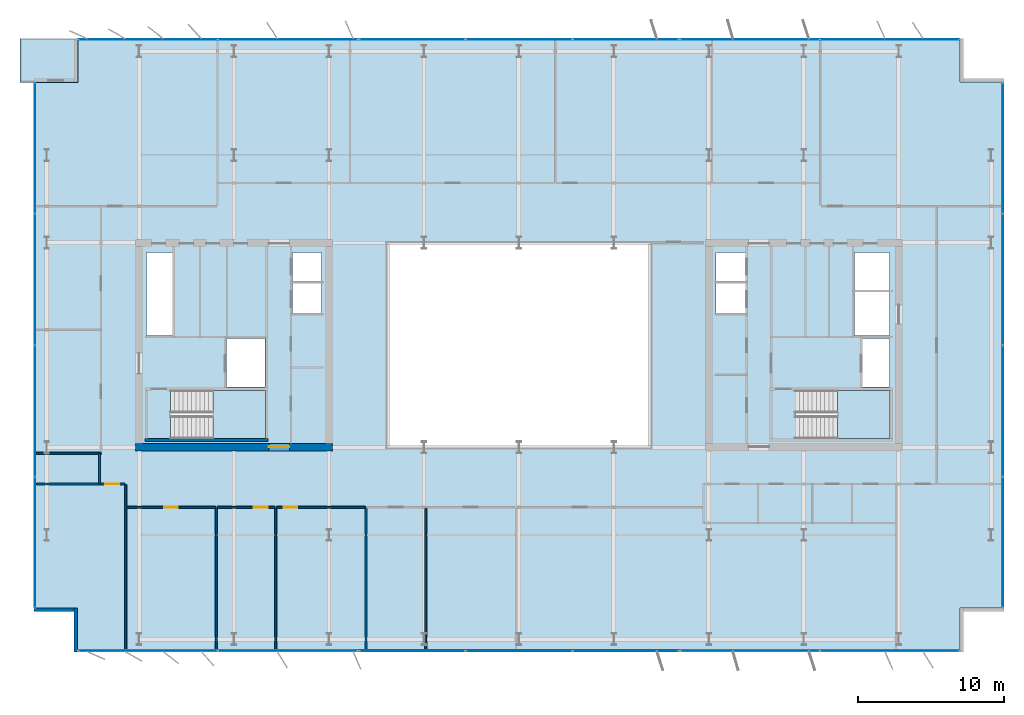
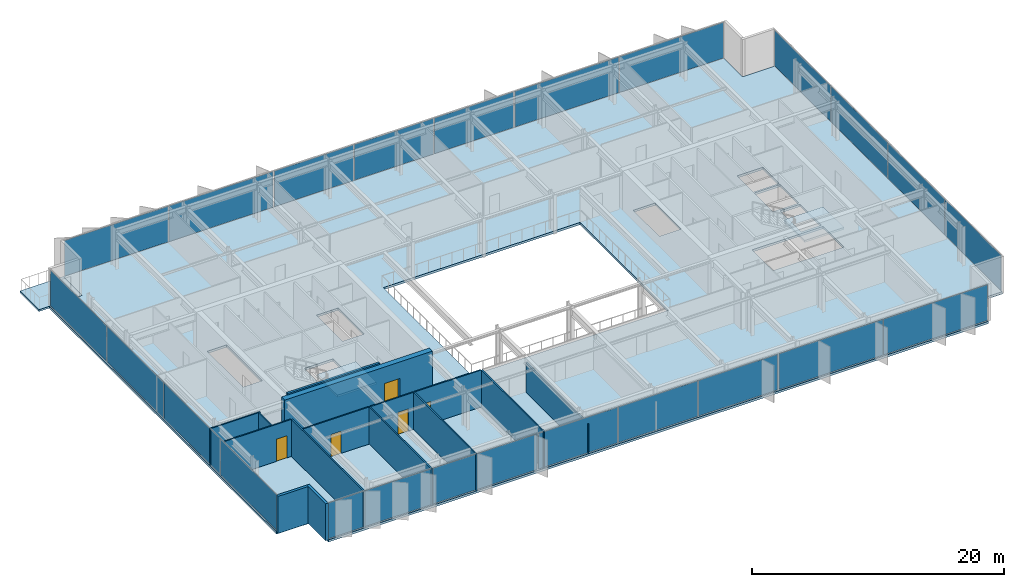
# One storey, part 16 of 23: 22 plates, 15 walls, 5 doors, 4 slabs, 5 openings, 10 elements without a shape of their own.
"""IFC4 building model written with IfcOpenShell, lengths in metres."""

from ifc_helpers import new_model, si_unit, direction, frame, frame_2d, origin, origin_2d, place, context, subcontext, project, spatial, polyline, rectangle, outline, extrude, material, layer, layer_set, type_object, element, fill, aggregate, save


model = new_model("IFC4")

# Units and contexts
model_context = context("Model", 3, precision=1e-05, world=origin(), true_north=direction((0.0, 1.0)))
body_context = subcontext(model_context, "Body", "Model", "MODEL_VIEW")
ifc_project = project(units=[si_unit("LENGTHUNIT", "METRE"), si_unit("AREAUNIT", "SQUARE_METRE"), si_unit("VOLUMEUNIT", "CUBIC_METRE"), si_unit("PLANEANGLEUNIT", "RADIAN"), si_unit("MASSUNIT", "GRAM", prefix="KILO")], contexts=[model_context])

# Site, building, storey
site_placement = place(None, origin())
site = spatial("IfcSite", under=ifc_project, at=site_placement, CompositionType="ELEMENT")
building_placement = place(site_placement, origin())
building = spatial("IfcBuilding", under=site, at=building_placement, Name="Putna Gate Headquarters", CompositionType="ELEMENT")
storey_placement = place(building_placement, frame((0.0, 0.0, 217.60009765625)))
storey = spatial("IfcBuildingStorey", under=building, at=storey_placement, Name="L54", CompositionType="ELEMENT", Elevation=217.60009765625)

# Stair, slab
ifc_material_1 = material(Name="Concrete C40/50", Category="concrete")
stair_type_1 = type_object("IfcStairType", Name="STAIR-ST1", PredefinedType="HALF_TURN_STAIR", material=ifc_material_1)
stair_1_placement = place(storey_placement, origin())
stair_1 = element("IfcStair", 1, at=stair_1_placement, inside=storey, type_object=stair_type_1, Name="L54 West Core Exit Stair ST1", PredefinedType="HALF_TURN_STAIR")
ifc_layer_1 = layer(ifc_material_1, 0.199951171875)
ifc_layer_set_1 = layer_set([ifc_layer_1], Name="Concrete C40/50")
slab_type_1 = type_object("IfcSlabType", Name="LANDING-ST1", PredefinedType="LANDING", material=ifc_layer_set_1)
slab_1_placement = place(storey_placement, frame((0.0, 0.0, 1.699951171875)))
slab_1 = element("IfcSlab", 2, at=slab_1_placement, type_object=slab_type_1, Name="ST1 landing 1", PredefinedType="LANDING", context=body_context, shape_type="SweptSolid", body=[
    extrude(outline(polyline([(18.050048828125, 19.60009765625), (21.64990234375, 19.60009765625), (21.64990234375, 22.89990234375), (18.050048828125, 22.89990234375), (18.050048828125, 19.60009765625)])), origin(), (0.0, 0.0, 1.0), 0.199951171875),
])
aggregate(stair_1, [slab_1])

stair_type_2 = type_object("IfcStairType", Name="STAIR-ST2", PredefinedType="HALF_TURN_STAIR", material=ifc_material_1)
stair_2_placement = place(storey_placement, origin())
stair_2 = element("IfcStair", 3, at=stair_2_placement, inside=storey, type_object=stair_type_2, Name="L54 East Core Exit Stair ST2", PredefinedType="HALF_TURN_STAIR")
ifc_layer_2 = layer(ifc_material_1, 0.199951171875)
ifc_layer_set_2 = layer_set([ifc_layer_2], Name="Concrete C40/50")
slab_type_2 = type_object("IfcSlabType", Name="LANDING-ST2", PredefinedType="LANDING", material=ifc_layer_set_2)
slab_2_placement = place(storey_placement, frame((0.0, 0.0, 1.699951171875)))
slab_2 = element("IfcSlab", 4, at=slab_2_placement, type_object=slab_type_2, Name="ST2 landing 1", PredefinedType="LANDING", context=body_context, shape_type="SweptSolid", body=[
    extrude(outline(polyline([(60.800048828125, 19.60009765625), (64.39990234375, 19.60009765625), (64.39990234375, 22.89990234375), (60.800048828125, 22.89990234375), (60.800048828125, 19.60009765625)])), origin(), (0.0, 0.0, 1.0), 0.199951171875),
])
aggregate(stair_2, [slab_2])

# Curtain wall, plates
ifc_material_2 = material(Name="Anodised bronze aluminium curtain wall", Category="aluminium")
ifc_layer_3 = layer(ifc_material_2, 0.139892578125)
ifc_layer_set_3 = layer_set([ifc_layer_3], Name="Anodised bronze aluminium curtain wall")
curtain_wall_type_1 = type_object("IfcCurtainWallType", Name="CW-SYS-Z4", PredefinedType="USERDEFINED", material=ifc_layer_set_3)
curtain_wall_1_placement = place(storey_placement, origin())
curtain_wall_1 = element("IfcCurtainWall", 5, at=curtain_wall_1_placement, inside=storey, type_object=curtain_wall_type_1, Name="L54 South West Curtain Wall", ObjectType="STICK CURTAIN WALL", PredefinedType="USERDEFINED")
ifc_material_3 = material(Name="Solar-control triple low-E glass", Category="glass")
ifc_layer_4 = layer(ifc_material_3, 0.02587890625)
ifc_layer_set_4 = layer_set([ifc_layer_4], Name="Solar-control triple low-E glass")
plate_type_1 = type_object("IfcPlateType", Name="PAN-CWP-4", PredefinedType="CURTAIN_PANEL", material=ifc_layer_set_4)
plate_1_placement = place(storey_placement, frame((13.614990234375, 5.080078125, 0.059814453125), z_axis=(0.0, 0.0, 1.0), x_axis=(1.0, 0.0, 0.0)))
plate_1 = element("IfcPlate", 6, at=plate_1_placement, type_object=plate_type_1, Name="CWS-4 panel 1.1", PredefinedType="CURTAIN_PANEL", context=body_context, shape_type="SweptSolid", body=[
    extrude(rectangle(XDim=9.510009765625, YDim=0.02587890625, at=origin_2d()), origin(), (0.0, 0.0, 1.0), 3.4599609375),
])
plate_2_placement = place(storey_placement, frame((23.18505859375, 5.080078125, 0.059814453125), z_axis=(0.0, 0.0, 1.0), x_axis=(1.0, 0.0, 0.0)))
plate_2 = element("IfcPlate", 7, at=plate_2_placement, type_object=plate_type_1, Name="CWS-4 panel 2.1", PredefinedType="CURTAIN_PANEL", context=body_context, shape_type="SweptSolid", body=[
    extrude(rectangle(XDim=9.510009765625, YDim=0.02587890625, at=origin_2d()), origin(), (0.0, 0.0, 1.0), 3.4599609375),
])
aggregate(curtain_wall_1, [plate_1, plate_2])

curtain_wall_2_placement = place(storey_placement, origin())
curtain_wall_2 = element("IfcCurtainWall", 8, at=curtain_wall_2_placement, inside=storey, type_object=curtain_wall_type_1, Name="L54 South East Curtain Wall", ObjectType="STICK CURTAIN WALL", PredefinedType="USERDEFINED")
plate_3_placement = place(storey_placement, frame((54.81494140625, 5.080078125, 0.059814453125), z_axis=(0.0, 0.0, 1.0), x_axis=(1.0, 0.0, 0.0)))
plate_3 = element("IfcPlate", 9, at=plate_3_placement, type_object=plate_type_1, Name="CWS-4 panel 1.1", PredefinedType="CURTAIN_PANEL", context=body_context, shape_type="SweptSolid", body=[
    extrude(rectangle(XDim=9.510009765625, YDim=0.02587890625, at=origin_2d()), origin(), (0.0, 0.0, 1.0), 3.4599609375),
])
plate_4_placement = place(storey_placement, frame((64.385009765625, 5.080078125, 0.059814453125), z_axis=(0.0, 0.0, 1.0), x_axis=(1.0, 0.0, 0.0)))
plate_4 = element("IfcPlate", 10, at=plate_4_placement, type_object=plate_type_1, Name="CWS-4 panel 2.1", PredefinedType="CURTAIN_PANEL", context=body_context, shape_type="SweptSolid", body=[
    extrude(rectangle(XDim=9.510009765625, YDim=0.02587890625, at=origin_2d()), origin(), (0.0, 0.0, 1.0), 3.4599609375),
])
aggregate(curtain_wall_2, [plate_3, plate_4])

curtain_wall_3_placement = place(storey_placement, origin())
curtain_wall_3 = element("IfcCurtainWall", 11, at=curtain_wall_3_placement, inside=storey, type_object=curtain_wall_type_1, Name="L54 North West Curtain Wall", ObjectType="STICK CURTAIN WALL", PredefinedType="USERDEFINED")
plate_5_placement = place(storey_placement, frame((13.614990234375, 46.919921875, 0.059814453125), z_axis=(0.0, 0.0, 1.0), x_axis=(1.0, 0.0, 0.0)))
plate_5 = element("IfcPlate", 12, at=plate_5_placement, type_object=plate_type_1, Name="CWS-4 panel 1.1", PredefinedType="CURTAIN_PANEL", context=body_context, shape_type="SweptSolid", body=[
    extrude(rectangle(XDim=9.510009765625, YDim=0.02587890625, at=origin_2d()), origin(), (0.0, 0.0, 1.0), 3.4599609375),
])
plate_6_placement = place(storey_placement, frame((23.18505859375, 46.919921875, 0.059814453125), z_axis=(0.0, 0.0, 1.0), x_axis=(1.0, 0.0, 0.0)))
plate_6 = element("IfcPlate", 13, at=plate_6_placement, type_object=plate_type_1, Name="CWS-4 panel 2.1", PredefinedType="CURTAIN_PANEL", context=body_context, shape_type="SweptSolid", body=[
    extrude(rectangle(XDim=9.510009765625, YDim=0.02587890625, at=origin_2d()), origin(), (0.0, 0.0, 1.0), 3.4599609375),
])
aggregate(curtain_wall_3, [plate_5, plate_6])

curtain_wall_4_placement = place(storey_placement, origin())
curtain_wall_4 = element("IfcCurtainWall", 14, at=curtain_wall_4_placement, inside=storey, type_object=curtain_wall_type_1, Name="L54 North East Curtain Wall", ObjectType="STICK CURTAIN WALL", PredefinedType="USERDEFINED")
plate_7_placement = place(storey_placement, frame((54.81494140625, 46.919921875, 0.059814453125), z_axis=(0.0, 0.0, 1.0), x_axis=(1.0, 0.0, 0.0)))
plate_7 = element("IfcPlate", 15, at=plate_7_placement, type_object=plate_type_1, Name="CWS-4 panel 1.1", PredefinedType="CURTAIN_PANEL", context=body_context, shape_type="SweptSolid", body=[
    extrude(rectangle(XDim=9.510009765625, YDim=0.02587890625, at=origin_2d()), origin(), (0.0, 0.0, 1.0), 3.4599609375),
])
plate_8_placement = place(storey_placement, frame((64.385009765625, 46.919921875, 0.059814453125), z_axis=(0.0, 0.0, 1.0), x_axis=(1.0, 0.0, 0.0)))
plate_8 = element("IfcPlate", 16, at=plate_8_placement, type_object=plate_type_1, Name="CWS-4 panel 2.1", PredefinedType="CURTAIN_PANEL", context=body_context, shape_type="SweptSolid", body=[
    extrude(rectangle(XDim=9.510009765625, YDim=0.02587890625, at=origin_2d()), origin(), (0.0, 0.0, 1.0), 3.4599609375),
])
aggregate(curtain_wall_4, [plate_7, plate_8])

curtain_wall_5_placement = place(storey_placement, origin())
curtain_wall_5 = element("IfcCurtainWall", 17, at=curtain_wall_5_placement, inside=storey, type_object=curtain_wall_type_1, Name="L54 West Curtain Wall", ObjectType="STICK CURTAIN WALL", PredefinedType="USERDEFINED")
plate_9_placement = place(storey_placement, frame((5.8798828125, 12.514892578125, 0.059814453125), z_axis=(0.0, 0.0, 1.0), x_axis=(0.0, 1.0, 0.0)))
plate_9 = element("IfcPlate", 18, at=plate_9_placement, type_object=plate_type_1, Name="CWS-4 panel 1.1", PredefinedType="CURTAIN_PANEL", context=body_context, shape_type="SweptSolid", body=[
    extrude(rectangle(XDim=8.909912109375, YDim=0.02587890625, at=origin_2d()), origin(), (0.0, 0.0, 1.0), 3.4599609375),
])
plate_10_placement = place(storey_placement, frame((5.8798828125, 21.5, 0.059814453125), z_axis=(0.0, 0.0, 1.0), x_axis=(0.0, 1.0, 0.0)))
plate_10 = element("IfcPlate", 19, at=plate_10_placement, type_object=plate_type_1, Name="CWS-4 panel 2.1", PredefinedType="CURTAIN_PANEL", context=body_context, shape_type="SweptSolid", body=[
    extrude(rectangle(XDim=8.93994140625, YDim=0.02587890625, at=origin_2d()), origin(), (0.0, 0.0, 1.0), 3.4599609375),
])
plate_11_placement = place(storey_placement, frame((5.8798828125, 30.5, 0.059814453125), z_axis=(0.0, 0.0, 1.0), x_axis=(0.0, 1.0, 0.0)))
plate_11 = element("IfcPlate", 20, at=plate_11_placement, type_object=plate_type_1, Name="CWS-4 panel 3.1", PredefinedType="CURTAIN_PANEL", context=body_context, shape_type="SweptSolid", body=[
    extrude(rectangle(XDim=8.93994140625, YDim=0.02587890625, at=origin_2d()), origin(), (0.0, 0.0, 1.0), 3.4599609375),
])
plate_12_placement = place(storey_placement, frame((5.8798828125, 39.485107421875, 0.059814453125), z_axis=(0.0, 0.0, 1.0), x_axis=(0.0, 1.0, 0.0)))
plate_12 = element("IfcPlate", 21, at=plate_12_placement, type_object=plate_type_1, Name="CWS-4 panel 4.1", PredefinedType="CURTAIN_PANEL", context=body_context, shape_type="SweptSolid", body=[
    extrude(rectangle(XDim=8.909912109375, YDim=0.02587890625, at=origin_2d()), origin(), (0.0, 0.0, 1.0), 3.4599609375),
])
aggregate(curtain_wall_5, [plate_9, plate_10, plate_11, plate_12])

curtain_wall_6_placement = place(storey_placement, origin())
curtain_wall_6 = element("IfcCurtainWall", 22, at=curtain_wall_6_placement, inside=storey, type_object=curtain_wall_type_1, Name="L54 East Curtain Wall", ObjectType="STICK CURTAIN WALL", PredefinedType="USERDEFINED")
plate_13_placement = place(storey_placement, frame((72.1201171875, 12.514892578125, 0.059814453125), z_axis=(0.0, 0.0, 1.0), x_axis=(0.0, 1.0, 0.0)))
plate_13 = element("IfcPlate", 23, at=plate_13_placement, type_object=plate_type_1, Name="CWS-4 panel 1.1", PredefinedType="CURTAIN_PANEL", context=body_context, shape_type="SweptSolid", body=[
    extrude(rectangle(XDim=8.909912109375, YDim=0.02587890625, at=origin_2d()), origin(), (0.0, 0.0, 1.0), 3.4599609375),
])
plate_14_placement = place(storey_placement, frame((72.1201171875, 21.5, 0.059814453125), z_axis=(0.0, 0.0, 1.0), x_axis=(0.0, 1.0, 0.0)))
plate_14 = element("IfcPlate", 24, at=plate_14_placement, type_object=plate_type_1, Name="CWS-4 panel 2.1", PredefinedType="CURTAIN_PANEL", context=body_context, shape_type="SweptSolid", body=[
    extrude(rectangle(XDim=8.93994140625, YDim=0.02587890625, at=origin_2d()), origin(), (0.0, 0.0, 1.0), 3.4599609375),
])
plate_15_placement = place(storey_placement, frame((72.1201171875, 30.5, 0.059814453125), z_axis=(0.0, 0.0, 1.0), x_axis=(0.0, 1.0, 0.0)))
plate_15 = element("IfcPlate", 25, at=plate_15_placement, type_object=plate_type_1, Name="CWS-4 panel 3.1", PredefinedType="CURTAIN_PANEL", context=body_context, shape_type="SweptSolid", body=[
    extrude(rectangle(XDim=8.93994140625, YDim=0.02587890625, at=origin_2d()), origin(), (0.0, 0.0, 1.0), 3.4599609375),
])
plate_16_placement = place(storey_placement, frame((72.1201171875, 39.485107421875, 0.059814453125), z_axis=(0.0, 0.0, 1.0), x_axis=(0.0, 1.0, 0.0)))
plate_16 = element("IfcPlate", 26, at=plate_16_placement, type_object=plate_type_1, Name="CWS-4 panel 4.1", PredefinedType="CURTAIN_PANEL", context=body_context, shape_type="SweptSolid", body=[
    extrude(rectangle(XDim=8.909912109375, YDim=0.02587890625, at=origin_2d()), origin(), (0.0, 0.0, 1.0), 3.4599609375),
])
aggregate(curtain_wall_6, [plate_13, plate_14, plate_15, plate_16])

ifc_layer_5 = layer(ifc_material_2, 0.179931640625)
ifc_layer_set_5 = layer_set([ifc_layer_5], Name="Anodised bronze aluminium curtain wall")
curtain_wall_type_2 = type_object("IfcCurtainWallType", Name="CW-SYS-ATR", PredefinedType="USERDEFINED", material=ifc_layer_set_5)
curtain_wall_7_placement = place(storey_placement, origin())
curtain_wall_7 = element("IfcCurtainWall", 27, at=curtain_wall_7_placement, inside=storey, type_object=curtain_wall_type_2, Name="L54 South Atrium Clear Glazing", ObjectType="ATRIUM GLAZING", PredefinedType="USERDEFINED")
ifc_material_4 = material(Name="Clear low-iron triple glazing", Category="glass")
ifc_layer_6 = layer(ifc_material_4, 0.0400390625)
ifc_layer_set_6 = layer_set([ifc_layer_6], Name="Clear low-iron triple glazing")
plate_type_2 = type_object("IfcPlateType", Name="PAN-CWP-AT", PredefinedType="CURTAIN_PANEL", material=ifc_layer_set_6)
plate_17_placement = place(storey_placement, frame((31.68408203125, 5.080078125, 0.06982421875), z_axis=(0.0, 0.0, 1.0), x_axis=(1.0, 0.0, 0.0)))
plate_17 = element("IfcPlate", 28, at=plate_17_placement, type_object=plate_type_2, Name="CWS-AT panel 1.1", PredefinedType="CURTAIN_PANEL", context=body_context, shape_type="SweptSolid", body=[
    extrude(rectangle(XDim=7.228271484375, YDim=0.0400390625, at=origin_2d()), origin(), (0.0, 0.0, 1.0), 3.43994140625),
])
plate_18_placement = place(storey_placement, frame((39.0, 5.080078125, 0.06982421875), z_axis=(0.0, 0.0, 1.0), x_axis=(1.0, 0.0, 0.0)))
plate_18 = element("IfcPlate", 29, at=plate_18_placement, type_object=plate_type_2, Name="CWS-AT panel 2.1", PredefinedType="CURTAIN_PANEL", context=body_context, shape_type="SweptSolid", body=[
    extrude(rectangle(XDim=7.263427734375, YDim=0.0400390625, at=origin_2d()), origin(), (0.0, 0.0, 1.0), 3.43994140625),
])
plate_19_placement = place(storey_placement, frame((46.31591796875, 5.080078125, 0.06982421875), z_axis=(0.0, 0.0, 1.0), x_axis=(1.0, 0.0, 0.0)))
plate_19 = element("IfcPlate", 30, at=plate_19_placement, type_object=plate_type_2, Name="CWS-AT panel 3.1", PredefinedType="CURTAIN_PANEL", context=body_context, shape_type="SweptSolid", body=[
    extrude(rectangle(XDim=7.228271484375, YDim=0.0400390625, at=origin_2d()), origin(), (0.0, 0.0, 1.0), 3.43994140625),
])
aggregate(curtain_wall_7, [plate_17, plate_18, plate_19])

curtain_wall_8_placement = place(storey_placement, origin())
curtain_wall_8 = element("IfcCurtainWall", 31, at=curtain_wall_8_placement, inside=storey, type_object=curtain_wall_type_2, Name="L54 North Atrium Clear Glazing", ObjectType="ATRIUM GLAZING", PredefinedType="USERDEFINED")
plate_20_placement = place(storey_placement, frame((31.68408203125, 46.919921875, 0.06982421875), z_axis=(0.0, 0.0, 1.0), x_axis=(1.0, 0.0, 0.0)))
plate_20 = element("IfcPlate", 32, at=plate_20_placement, type_object=plate_type_2, Name="CWS-AT panel 1.1", PredefinedType="CURTAIN_PANEL", context=body_context, shape_type="SweptSolid", body=[
    extrude(rectangle(XDim=7.228271484375, YDim=0.0400390625, at=origin_2d()), origin(), (0.0, 0.0, 1.0), 3.43994140625),
])
plate_21_placement = place(storey_placement, frame((39.0, 46.919921875, 0.06982421875), z_axis=(0.0, 0.0, 1.0), x_axis=(1.0, 0.0, 0.0)))
plate_21 = element("IfcPlate", 33, at=plate_21_placement, type_object=plate_type_2, Name="CWS-AT panel 2.1", PredefinedType="CURTAIN_PANEL", context=body_context, shape_type="SweptSolid", body=[
    extrude(rectangle(XDim=7.263427734375, YDim=0.0400390625, at=origin_2d()), origin(), (0.0, 0.0, 1.0), 3.43994140625),
])
plate_22_placement = place(storey_placement, frame((46.31591796875, 46.919921875, 0.06982421875), z_axis=(0.0, 0.0, 1.0), x_axis=(1.0, 0.0, 0.0)))
plate_22 = element("IfcPlate", 34, at=plate_22_placement, type_object=plate_type_2, Name="CWS-AT panel 3.1", PredefinedType="CURTAIN_PANEL", context=body_context, shape_type="SweptSolid", body=[
    extrude(rectangle(XDim=7.228271484375, YDim=0.0400390625, at=origin_2d()), origin(), (0.0, 0.0, 1.0), 3.43994140625),
])
aggregate(curtain_wall_8, [plate_20, plate_21, plate_22])

# Slabs
ifc_layer_7 = layer(ifc_material_1, 0.179931640625)
ifc_layer_set_7 = layer_set([ifc_layer_7], Name="Concrete C40/50")
slab_type_3 = type_object("IfcSlabType", Name="SLAB-TERRACE-180", PredefinedType="FLOOR", material=ifc_layer_set_7)
slab_3_placement = place(storey_placement, frame((0.0, 0.0, -0.18017578125)))
element("IfcSlab", 35, at=slab_3_placement, inside=storey, type_object=slab_type_3, Name="L54 Spiral Sky-Garden Terrace Slab (NW)", PredefinedType="FLOOR", context=body_context, shape_type="SweptSolid", body=[
    extrude(outline(polyline([(4.85009765625, 43.991943359375), (8.80810546875, 43.991943359375), (8.80810546875, 47.0), (4.85009765625, 47.0), (4.85009765625, 43.991943359375)])), origin(), (0.0, 0.0, 1.0), 0.18017578125),
])
ifc_layer_8 = layer(ifc_material_1, 0.219970703125)
ifc_layer_set_8 = layer_set([ifc_layer_8], Name="Concrete C40/50")
slab_type_4 = type_object("IfcSlabType", Name="SLAB-Z4-220", PredefinedType="FLOOR", material=ifc_layer_set_8)
slab_4_placement = place(storey_placement, frame((0.0, 0.0, -0.22021484375)))
element("IfcSlab", 36, at=slab_4_placement, inside=storey, type_object=slab_type_4, Name="L54 Composite Floor Slab", PredefinedType="FLOOR", context=body_context, shape_type="SweptSolid", body=[
    extrude(outline(polyline([(8.800048828125, 5.0), (69.199951171875, 5.0), (69.199951171875, 8.0), (72.199951171875, 8.0), (72.199951171875, 44.0), (69.199951171875, 44.0), (69.199951171875, 47.0), (8.800048828125, 47.0), (8.800048828125, 44.0), (5.800048828125, 44.0), (5.800048828125, 8.0), (8.800048828125, 8.0), (8.800048828125, 5.0)]), holes=[polyline([(15.1650390625, 19.60009765625), (21.64990234375, 19.60009765625), (21.64990234375, 22.89990234375), (15.1650390625, 22.89990234375), (15.1650390625, 19.60009765625)]), polyline([(57.9150390625, 19.60009765625), (64.39990234375, 19.60009765625), (64.39990234375, 22.89990234375), (57.9150390625, 22.89990234375), (57.9150390625, 19.60009765625)]), polyline([(13.52001953125, 26.659912109375), (15.280029296875, 26.659912109375), (15.280029296875, 32.35009765625), (13.52001953125, 32.35009765625), (13.52001953125, 26.659912109375)]), polyline([(61.969970703125, 29.780029296875), (64.35009765625, 29.780029296875), (64.35009765625, 32.35009765625), (61.969970703125, 32.35009765625), (61.969970703125, 29.780029296875)]), polyline([(18.97998046875, 23.1201171875), (21.6201171875, 23.1201171875), (21.6201171875, 26.4599609375), (18.97998046875, 26.4599609375), (18.97998046875, 23.1201171875)]), polyline([(62.52001953125, 23.1201171875), (64.35009765625, 23.1201171875), (64.35009765625, 26.4599609375), (62.52001953125, 26.4599609375), (62.52001953125, 23.1201171875)]), polyline([(61.969970703125, 26.659912109375), (64.35009765625, 26.659912109375), (64.35009765625, 29.6201171875), (61.969970703125, 29.6201171875), (61.969970703125, 26.659912109375)]), polyline([(23.5, 28.199951171875), (25.5, 28.199951171875), (25.5, 32.35009765625), (23.5, 32.35009765625), (23.5, 28.199951171875)]), polyline([(52.47998046875, 28.199951171875), (54.5, 28.199951171875), (54.5, 32.35009765625), (52.47998046875, 32.35009765625), (52.47998046875, 28.199951171875)]), polyline([(30.0, 19.0), (48.0, 19.0), (48.0, 33.0), (30.0, 33.0), (30.0, 19.0)])]), origin(), (0.0, 0.0, 1.0), 0.22021484375),
])

# Wall, opening, door
ifc_material_5 = material(Name="Concrete C50/60", Category="concrete")
ifc_layer_9 = layer(ifc_material_5, 0.5)
ifc_layer_set_9 = layer_set([ifc_layer_9], Name="Concrete C50/60")
wall_type_1 = type_object("IfcWallType", Name="WALL-CORE-500", PredefinedType="SHEAR", material=ifc_layer_set_9)
wall_1_placement = place(storey_placement, frame((12.75, 19.0, 0.0), z_axis=(0.0, 0.0, 1.0), x_axis=(1.0, 0.0, 0.0)))
wall_1 = element("IfcWall", 37, at=wall_1_placement, inside=storey, type_object=wall_type_1, Name="L54 WC Split Core Shear Wall S", PredefinedType="SHEAR", context=body_context, shape_type="SweptSolid", body=[
    extrude(rectangle(XDim=13.5, YDim=0.5, at=frame_2d((6.75, 0.0))), origin(), (0.0, 0.0, 1.0), 3.7998046875),
])
opening_1_placement = place(wall_1_placement, frame((9.1298828125, 0.0, 0.0)))
opening_1 = element("IfcOpeningElement", 38, at=opening_1_placement, cuts=wall_1, Name="Opening FDD-140", PredefinedType="OPENING", context=body_context, shape_type="SweptSolid", body=[
    extrude(rectangle(XDim=1.39990234375, YDim=2.199951171875, at=frame_2d((0.699951171875, 1.10009765625))), frame((0.0, 0.260009765625, 0.0), z_axis=(0.0, -1.0, 0.0), x_axis=(1.0, 0.0, 0.0)), (0.0, 0.0, 1.0), 0.52001953125),
])
ifc_material_6 = material(Name="Double steel fire door", Category="steel")
door_type_1 = type_object("IfcDoorType", Name="DOOR-FIRE-DBL-1400", OperationType="DOUBLE_DOOR_SINGLE_SWING", PredefinedType="DOOR", material=ifc_material_6)
door_1_placement = place(opening_1_placement, origin())
door_1 = element("IfcDoor", 39, at=door_1_placement, inside=storey, type_object=door_type_1, Name="L54 West Lift Lobby South Door", OperationType="DOUBLE_DOOR_SINGLE_SWING", OverallHeight=2.199951171875, OverallWidth=1.39990234375, PredefinedType="DOOR", context=body_context, shape_type="SweptSolid", body=[
    extrude(rectangle(XDim=1.39990234375, YDim=2.199951171875, at=frame_2d((0.699951171875, 1.10009765625))), frame((0.0, 0.0751953125, 0.0), z_axis=(0.0, -1.0, 0.0), x_axis=(1.0, 0.0, 0.0)), (0.0, 0.0, 1.0), 0.050048828125),
])
fill(opening_1, door_1)

# Walls
ifc_material_7 = material(Name="Precast concrete C40/50", Category="concrete")
ifc_layer_10 = layer(ifc_material_7, 0.239990234375)
ifc_layer_set_10 = layer_set([ifc_layer_10], Name="Precast concrete C40/50")
wall_type_2 = type_object("IfcWallType", Name="WALL-EXT-TERR-240", PredefinedType="STANDARD", material=ifc_layer_set_10)
for number, where, z_axis, x_axis, name in (
    (40, (8.679931640625, 5.0, 0.0), (0.0, 0.0, 1.0), (0.0, 1.0, 0.0), "L54 Corner Notch Return Wall SW-V"),
    (41, (8.800048828125, 7.8798828125, 0.0), (0.0, 0.0, 1.0), (-1.0, 0.0, 0.0), "L54 Corner Notch Return Wall SW-H"),
):
    element("IfcWall", number, at=place(storey_placement, frame(where, z_axis=z_axis, x_axis=x_axis)), inside=storey, type_object=wall_type_2, Name=name, PredefinedType="STANDARD", context=body_context, shape_type="SweptSolid", body=[
        extrude(rectangle(XDim=3.0, YDim=0.239990234375, at=frame_2d((1.5, 0.0))), origin(), (0.0, 0.0, 1.0), 3.579833984375),
    ])
ifc_material_8 = material(Name="Acoustic gypsum board on metal stud")
ifc_layer_11 = layer(ifc_material_8, 0.1201171875)
ifc_layer_set_11 = layer_set([ifc_layer_11], Name="Acoustic gypsum board on metal stud")
wall_type_3 = type_object("IfcWallType", Name="WALL-PART-120", PredefinedType="PARTITIONING", material=ifc_layer_set_11)
wall_2_placement = place(storey_placement, frame((12.09130859375, 5.02001953125, 0.0), z_axis=(0.0, 0.0, 1.0), x_axis=(0.0, 1.0, 0.0)))
element("IfcWall", 42, at=wall_2_placement, inside=storey, type_object=wall_type_3, Name="L54 Interior Wall PART-L54-SB-DIV-01", PredefinedType="PARTITIONING", context=body_context, shape_type="SweptSolid", body=[
    extrude(rectangle(XDim=11.419921875, YDim=0.1201171875, at=frame_2d((5.7099609375, 0.0))), origin(), (0.0, 0.0, 1.0), 3.579833984375),
])
for number, where, z_axis, x_axis, name in (
    (43, (18.278076171875, 5.02001953125, 0.0), (0.0, 0.0, 1.0), (0.0, 1.0, 0.0), "L54 Interior Wall PART-L54-SB-DIV-02"),
    (44, (22.352294921875, 5.02001953125, 0.0), (0.0, 0.0, 1.0), (0.0, 1.0, 0.0), "L54 Interior Wall PART-L54-SB-DIV-03"),
    (45, (28.5390625, 5.02001953125, 0.0), (0.0, 0.0, 1.0), (0.0, 1.0, 0.0), "L54 Interior Wall PART-L54-SB-DIV-04"),
):
    element("IfcWall", number, at=place(storey_placement, frame(where, z_axis=z_axis, x_axis=x_axis)), inside=storey, type_object=wall_type_3, Name=name, PredefinedType="PARTITIONING", context=body_context, shape_type="SweptSolid", body=[
        extrude(rectangle(XDim=9.820068359375, YDim=0.1201171875, at=frame_2d((4.91015625, 0.0))), origin(), (0.0, 0.0, 1.0), 3.579833984375),
    ])
wall_3_placement = place(storey_placement, frame((32.61328125, 5.02001953125, 0.0), z_axis=(0.0, 0.0, 1.0), x_axis=(0.0, 1.0, 0.0)))
element("IfcWall", 46, at=wall_3_placement, inside=storey, type_object=wall_type_3, Name="L54 Interior Wall PART-L54-SB-DIV-05", PredefinedType="PARTITIONING", context=body_context, shape_type="SweptSolid", body=[
    extrude(rectangle(XDim=9.820068359375, YDim=0.1201171875, at=frame_2d((4.91015625, 0.0))), origin(), (0.0, 0.0, 1.0), 2.8798828125),
])
ifc_material_9 = material(Name="Fire-rated gypsum board on metal stud")
ifc_layer_12 = layer(ifc_material_9, 0.1201171875)
ifc_layer_set_12 = layer_set([ifc_layer_12], Name="Fire-rated gypsum board on metal stud")
wall_type_4 = type_object("IfcWallType", Name="WALL-PART-120-RATED", PredefinedType="PARTITIONING", material=ifc_layer_set_12)
wall_4_placement = place(storey_placement, frame((10.291259765625, 16.5, 0.0), z_axis=(0.0, 0.0, 1.0), x_axis=(0.0, 1.0, 0.0)))
element("IfcWall", 47, at=wall_4_placement, inside=storey, type_object=wall_type_4, Name="L54 Interior Wall PART-L54-CORRS-CAPW", PredefinedType="PARTITIONING", context=body_context, shape_type="SweptSolid", body=[
    extrude(rectangle(XDim=2.10009765625, YDim=0.1201171875, at=frame_2d((1.050048828125, 0.0))), origin(), (0.0, 0.0, 1.0), 3.579833984375),
])

# Wall, opening, door
wall_5_placement = place(storey_placement, frame((5.97998046875, 16.5, 0.0), z_axis=(0.0, 0.0, 1.0), x_axis=(1.0, 0.0, 0.0)))
wall_5 = element("IfcWall", 48, at=wall_5_placement, inside=storey, type_object=wall_type_4, Name="L54 Interior Wall PART-L54-SB-CW-01", PredefinedType="PARTITIONING", context=body_context, shape_type="SweptSolid", body=[
    extrude(rectangle(XDim=6.05126953125, YDim=0.1201171875, at=frame_2d((3.025634765625, 0.0))), origin(), (0.0, 0.0, 1.0), 3.579833984375),
])
opening_2_placement = place(wall_5_placement, frame((4.706298828125, 0.0, 0.0)))
opening_2 = element("IfcOpeningElement", 49, at=opening_2_placement, cuts=wall_5, Name="Opening FD-95", PredefinedType="OPENING", context=body_context, shape_type="SweptSolid", body=[
    extrude(rectangle(XDim=0.949951171875, YDim=2.14990234375, at=frame_2d((0.47509765625, 1.074951171875))), frame((0.0, 0.070068359375, 0.0), z_axis=(0.0, -1.0, 0.0), x_axis=(1.0, 0.0, 0.0)), (0.0, 0.0, 1.0), 0.14013671875),
])
ifc_material_10 = material(Name="Acoustic timber fire door", Category="wood")
door_type_2 = type_object("IfcDoorType", Name="DOOR-FIRE-950", OperationType="NOTDEFINED", PredefinedType="DOOR", material=ifc_material_10)
door_2_placement = place(opening_2_placement, origin())
door_2 = element("IfcDoor", 50, at=door_2_placement, inside=storey, type_object=door_type_2, Name="L54 Quiet Wellness Focus Studio 2 Door", OperationType="SINGLE_SWING_RIGHT", OverallHeight=2.14990234375, OverallWidth=0.949951171875, PredefinedType="DOOR", context=body_context, shape_type="SweptSolid", body=[
    extrude(rectangle(XDim=0.949951171875, YDim=2.14990234375, at=frame_2d((0.47509765625, 1.074951171875))), frame((0.0, 0.02490234375, 0.0), z_axis=(0.0, -1.0, 0.0), x_axis=(1.0, 0.0, 0.0)), (0.0, 0.0, 1.0), 0.050048828125),
])
fill(opening_2, door_2)

wall_6_placement = place(storey_placement, frame((12.1513671875, 14.89990234375, 0.0), z_axis=(0.0, 0.0, 1.0), x_axis=(1.0, 0.0, 0.0)))
wall_6 = element("IfcWall", 51, at=wall_6_placement, inside=storey, type_object=wall_type_4, Name="L54 Interior Wall PART-L54-SB-CW-02", PredefinedType="PARTITIONING", context=body_context, shape_type="SweptSolid", body=[
    extrude(rectangle(XDim=6.066650390625, YDim=0.1201171875, at=frame_2d((3.033203125, 0.0))), origin(), (0.0, 0.0, 1.0), 3.579833984375),
])
opening_3_placement = place(wall_6_placement, frame((2.558349609375, 0.0, 0.0)))
opening_3 = element("IfcOpeningElement", 52, at=opening_3_placement, cuts=wall_6, Name="Opening FD-95", PredefinedType="OPENING", context=body_context, shape_type="SweptSolid", body=[
    extrude(rectangle(XDim=0.949951171875, YDim=2.14990234375, at=frame_2d((0.47509765625, 1.074951171875))), frame((0.0, 0.070068359375, 0.0), z_axis=(0.0, -1.0, 0.0), x_axis=(1.0, 0.0, 0.0)), (0.0, 0.0, 1.0), 0.14013671875),
])
door_3_placement = place(opening_3_placement, origin())
door_3 = element("IfcDoor", 53, at=door_3_placement, inside=storey, type_object=door_type_2, Name="L54 Cellular Office 5 Door", OperationType="SINGLE_SWING_LEFT", OverallHeight=2.14990234375, OverallWidth=0.949951171875, PredefinedType="DOOR", context=body_context, shape_type="SweptSolid", body=[
    extrude(rectangle(XDim=0.949951171875, YDim=2.14990234375, at=frame_2d((0.47509765625, 1.074951171875))), frame((0.0, 0.02490234375, 0.0), z_axis=(0.0, -1.0, 0.0), x_axis=(1.0, 0.0, 0.0)), (0.0, 0.0, 1.0), 0.050048828125),
])
fill(opening_3, door_3)

wall_7_placement = place(storey_placement, frame((18.338134765625, 14.89990234375, 0.0), z_axis=(0.0, 0.0, 1.0), x_axis=(1.0, 0.0, 0.0)))
wall_7 = element("IfcWall", 54, at=wall_7_placement, inside=storey, type_object=wall_type_4, Name="L54 Interior Wall PART-L54-SB-CW-03", PredefinedType="PARTITIONING", context=body_context, shape_type="SweptSolid", body=[
    extrude(rectangle(XDim=3.9541015625, YDim=0.1201171875, at=frame_2d((1.97705078125, 0.0))), origin(), (0.0, 0.0, 1.0), 3.579833984375),
])
opening_4_placement = place(wall_7_placement, frame((2.524169921875, 0.0, 0.0)))
opening_4 = element("IfcOpeningElement", 55, at=opening_4_placement, cuts=wall_7, Name="Opening FD-95", PredefinedType="OPENING", context=body_context, shape_type="SweptSolid", body=[
    extrude(rectangle(XDim=0.949951171875, YDim=2.14990234375, at=frame_2d((0.47509765625, 1.074951171875))), frame((0.0, 0.070068359375, 0.0), z_axis=(0.0, -1.0, 0.0), x_axis=(1.0, 0.0, 0.0)), (0.0, 0.0, 1.0), 0.14013671875),
])
door_4_placement = place(opening_4_placement, origin())
door_4 = element("IfcDoor", 56, at=door_4_placement, inside=storey, type_object=door_type_2, Name="L54 Conference Meeting Room 1 Door", OperationType="SINGLE_SWING_RIGHT", OverallHeight=2.14990234375, OverallWidth=0.949951171875, PredefinedType="DOOR", context=body_context, shape_type="SweptSolid", body=[
    extrude(rectangle(XDim=0.949951171875, YDim=2.14990234375, at=frame_2d((0.47509765625, 1.074951171875))), frame((0.0, 0.02490234375, 0.0), z_axis=(0.0, -1.0, 0.0), x_axis=(1.0, 0.0, 0.0)), (0.0, 0.0, 1.0), 0.050048828125),
])
fill(opening_4, door_4)

wall_8_placement = place(storey_placement, frame((22.412353515625, 14.89990234375, 0.0), z_axis=(0.0, 0.0, 1.0), x_axis=(1.0, 0.0, 0.0)))
wall_8 = element("IfcWall", 57, at=wall_8_placement, inside=storey, type_object=wall_type_4, Name="L54 Interior Wall PART-L54-SB-CW-04", PredefinedType="PARTITIONING", context=body_context, shape_type="SweptSolid", body=[
    extrude(rectangle(XDim=6.066650390625, YDim=0.1201171875, at=frame_2d((3.033203125, 0.0))), origin(), (0.0, 0.0, 1.0), 3.579833984375),
])
opening_5_placement = place(wall_8_placement, frame((0.47998046875, 0.0, 0.0)))
opening_5 = element("IfcOpeningElement", 58, at=opening_5_placement, cuts=wall_8, Name="Opening FD-95", PredefinedType="OPENING", context=body_context, shape_type="SweptSolid", body=[
    extrude(rectangle(XDim=0.949951171875, YDim=2.14990234375, at=frame_2d((0.47509765625, 1.074951171875))), frame((0.0, 0.070068359375, 0.0), z_axis=(0.0, -1.0, 0.0), x_axis=(1.0, 0.0, 0.0)), (0.0, 0.0, 1.0), 0.14013671875),
])
door_5_placement = place(opening_5_placement, origin())
door_5 = element("IfcDoor", 59, at=door_5_placement, inside=storey, type_object=door_type_2, Name="L54 Conference Meeting Room 2 Door", OperationType="SINGLE_SWING_LEFT", OverallHeight=2.14990234375, OverallWidth=0.949951171875, PredefinedType="DOOR", context=body_context, shape_type="SweptSolid", body=[
    extrude(rectangle(XDim=0.949951171875, YDim=2.14990234375, at=frame_2d((0.47509765625, 1.074951171875))), frame((0.0, 0.02490234375, 0.0), z_axis=(0.0, -1.0, 0.0), x_axis=(1.0, 0.0, 0.0)), (0.0, 0.0, 1.0), 0.050048828125),
])
fill(opening_5, door_5)

# Walls
wall_9_placement = place(storey_placement, frame((5.820068359375, 18.60009765625, 0.0), z_axis=(0.0, 0.0, 1.0), x_axis=(1.0, 0.0, 0.0)))
element("IfcWall", 60, at=wall_9_placement, inside=storey, type_object=wall_type_4, Name="L54 Interior Wall PART-L54-WW-S-BOUND", PredefinedType="PARTITIONING", context=body_context, shape_type="SweptSolid", body=[
    extrude(rectangle(XDim=4.579833984375, YDim=0.1201171875, at=frame_2d((2.2900390625, 0.0))), origin(), (0.0, 0.0, 1.0), 3.579833984375),
])
ifc_layer_13 = layer(ifc_material_1, 0.199951171875)
ifc_layer_set_13 = layer_set([ifc_layer_13], Name="Concrete C40/50")
wall_type_5 = type_object("IfcWallType", Name="WALL-SHAFT-RC200", PredefinedType="SHEAR", material=ifc_layer_set_13)
wall_10_placement = place(storey_placement, frame((13.409912109375, 19.510009765625, 0.0), z_axis=(0.0, 0.0, 1.0), x_axis=(1.0, 0.0, 0.0)))
element("IfcWall", 61, at=wall_10_placement, inside=storey, type_object=wall_type_5, Name="L54 Stair ST1 Structural Shaft Wall S", PredefinedType="SHEAR", context=body_context, shape_type="SweptSolid", body=[
    extrude(rectangle(XDim=8.43017578125, YDim=0.199951171875, at=frame_2d((4.215087890625, 0.0))), origin(), (0.0, 0.0, 1.0), 3.7998046875),
])

save(model, "model.ifc")
